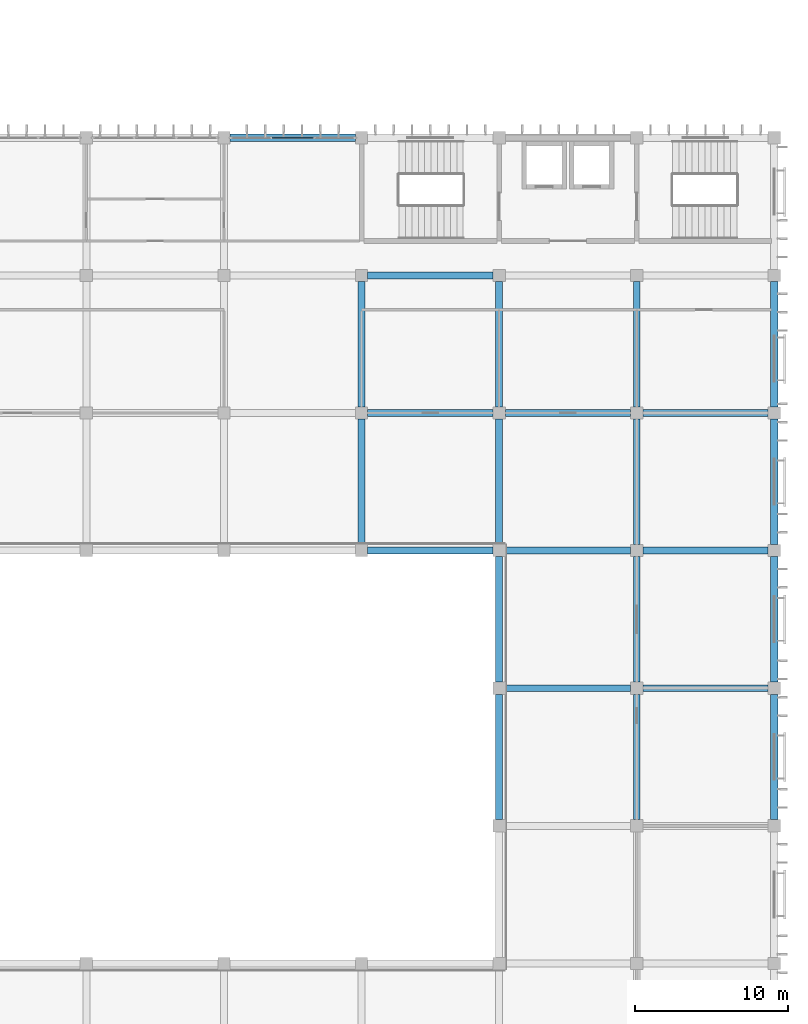
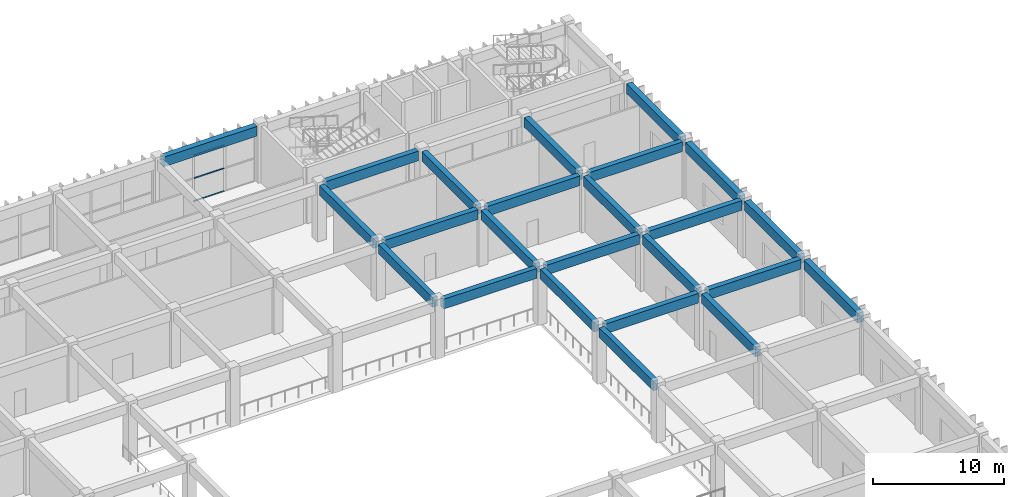
# One storey, part 82 of 185: 24 beams, 3 members, 1 element without a shape of its own.
"""IFC4 building model written with IfcOpenShell, lengths in metres."""

from ifc_helpers import new_model, si_unit, direction, frame, origin, origin_2d, place, context, subcontext, project, spatial, rectangle, hollow_rectangle, extrude, material, layer, layer_set, material_profile, profile_set, type_object, element, aggregate, save


model = new_model("IFC4")

# Units and contexts
model_context = context("Model", 3, precision=1e-05, world=origin(), true_north=direction((0.0, 1.0)))
body_context = subcontext(model_context, "Body", "Model", "MODEL_VIEW")
ifc_project = project(units=[si_unit("LENGTHUNIT", "METRE"), si_unit("AREAUNIT", "SQUARE_METRE"), si_unit("VOLUMEUNIT", "CUBIC_METRE"), si_unit("PLANEANGLEUNIT", "RADIAN"), si_unit("MASSUNIT", "GRAM", prefix="KILO")], contexts=[model_context])

# Site, building, storey
site_placement = place(None, origin())
site = spatial("IfcSite", under=ifc_project, at=site_placement, CompositionType="ELEMENT")
building_placement = place(site_placement, origin())
building = spatial("IfcBuilding", under=site, at=building_placement, Name="Opaline Strait Convention Centre", CompositionType="ELEMENT")
storey_placement = place(building_placement, frame((0.0, 0.0, 6.0)))
storey = spatial("IfcBuildingStorey", under=building, at=storey_placement, Name="L01", CompositionType="ELEMENT", Elevation=6.0)

# Curtain wall, members
ifc_material_1 = material(Name="Aluminium framed double glazing", Category="aluminium")
ifc_layer = layer(ifc_material_1, 0.199951171875)
ifc_layer_set = layer_set([ifc_layer], Name="Aluminium framed double glazing")
curtain_wall_type = type_object("IfcCurtainWallType", Name="Curtain wall 3000 module unitised", PredefinedType="NOTDEFINED", material=ifc_layer_set)
curtain_wall_placement = place(storey_placement, origin())
curtain_wall = element("IfcCurtainWall", 1, at=curtain_wall_placement, inside=storey, type_object=curtain_wall_type, Name="Curtain wall N L01 37/W", PredefinedType="NOTDEFINED")
ifc_material_2 = material(Name="Aluminium alloy 6063", Category="aluminium")
ifc_material_profile_1 = material_profile(ifc_material_2, hollow_rectangle(XDim=0.06005859375, YDim=0.1201171875, WallThickness=0.0029296875, at=origin_2d()), Name="TRANSOM 60x120x3")
ifc_profile_set_1 = profile_set([ifc_material_profile_1], Name="Aluminium alloy 6063")
member_type = type_object("IfcMemberType", Name="Curtain wall transom 60 x 120", PredefinedType="USERDEFINED", material=ifc_profile_set_1)
member_1_placement = place(storey_placement, frame((327.163330078125, 180.0, 0.030029296875), z_axis=(1.0, 0.0, 0.0), x_axis=(0.0, 1.0, 0.0)))
member_1 = element("IfcMember", 2, at=member_1_placement, type_object=member_type, Name="MCWR1 transom 2.1", ObjectType="TRANSOM", PredefinedType="USERDEFINED", context=body_context, shape_type="SweptSolid", body=[
    extrude(hollow_rectangle(XDim=0.06005859375, YDim=0.1201171875, WallThickness=0.0029296875, at=origin_2d()), origin(), (0.0, 0.0, 1.0), 2.67333984375),
])
member_2_placement = place(storey_placement, frame((327.163330078125, 180.0, 2.159912109375), z_axis=(1.0, 0.0, 0.0), x_axis=(0.0, 1.0, 0.0)))
member_2 = element("IfcMember", 3, at=member_2_placement, type_object=member_type, Name="MCWR1 transom 2.2", ObjectType="TRANSOM", PredefinedType="USERDEFINED", context=body_context, shape_type="SweptSolid", body=[
    extrude(hollow_rectangle(XDim=0.06005859375, YDim=0.1201171875, WallThickness=0.0029296875, at=origin_2d()), origin(), (0.0, 0.0, 1.0), 2.67333984375),
])
member_3_placement = place(storey_placement, frame((327.163330078125, 180.0, 4.2900390625), z_axis=(1.0, 0.0, 0.0), x_axis=(0.0, 1.0, 0.0)))
member_3 = element("IfcMember", 4, at=member_3_placement, type_object=member_type, Name="MCWR1 transom 2.3", ObjectType="TRANSOM", PredefinedType="USERDEFINED", context=body_context, shape_type="SweptSolid", body=[
    extrude(hollow_rectangle(XDim=0.06005859375, YDim=0.1201171875, WallThickness=0.0029296875, at=origin_2d()), origin(), (0.0, 0.0, 1.0), 2.67333984375),
])
aggregate(curtain_wall, [member_1, member_2, member_3])

# Beams
ifc_material_3 = material(Name="Concrete C35", Category="concrete")
ifc_material_profile_2 = material_profile(ifc_material_3, rectangle(XDim=0.449951171875, YDim=0.89990234375, at=origin_2d()), Name="RC 450x900")
ifc_profile_set_2 = profile_set([ifc_material_profile_2], Name="Concrete C35")
beam_type_1 = type_object("IfcBeamType", Name="RC beam 450x900 C35", PredefinedType="BEAM", material=ifc_profile_set_2)
for number, where, z_axis, x_axis, name in (
    (5, (342.39990234375, 144.0, 4.77001953125), (1.0, 0.0, 0.0), (0.0, 1.0, 0.0), "XB1 L01 39/S-40/S"),
    (6, (351.39990234375, 144.0, 4.77001953125), (1.0, 0.0, 0.0), (0.0, 1.0, 0.0), "XB1 L01 40/S-41/S"),
    (7, (333.39990234375, 153.0, 4.77001953125), (1.0, 0.0, 0.0), (0.0, 1.0, 0.0), "XB1 L01 38/T-39/T"),
    (8, (342.39990234375, 153.0, 4.77001953125), (1.0, 0.0, 0.0), (0.0, 1.0, 0.0), "XB1 L01 39/T-40/T"),
    (9, (351.39990234375, 153.0, 4.77001953125), (1.0, 0.0, 0.0), (0.0, 1.0, 0.0), "XB1 L01 40/T-41/T"),
    (10, (333.39990234375, 162.0, 4.77001953125), (1.0, 0.0, 0.0), (0.0, 1.0, 0.0), "XB1 L01 38/U-39/U"),
    (11, (342.39990234375, 162.0, 4.77001953125), (1.0, 0.0, 0.0), (0.0, 1.0, 0.0), "XB1 L01 39/U-40/U"),
    (12, (351.39990234375, 162.0, 4.77001953125), (1.0, 0.0, 0.0), (0.0, 1.0, 0.0), "XB1 L01 40/U-41/U"),
    (13, (333.39990234375, 171.0, 4.77001953125), (1.0, 0.0, 0.0), (0.0, 1.0, 0.0), "XB1 L01 38/V-39/V"),
    (14, (333.0, 153.39990234375, 4.77001953125), (0.0, 1.0, 0.0), (-1.0, 0.0, 0.0), "XB1 L01 38/T-38/U"),
    (15, (333.0, 162.39990234375, 4.77001953125), (0.0, 1.0, 0.0), (-1.0, 0.0, 0.0), "XB1 L01 38/U-38/V"),
    (16, (342.0, 135.39990234375, 4.77001953125), (0.0, 1.0, 0.0), (-1.0, 0.0, 0.0), "XB1 L01 39/R-39/S"),
    (17, (342.0, 144.39990234375, 4.77001953125), (0.0, 1.0, 0.0), (-1.0, 0.0, 0.0), "XB1 L01 39/S-39/T"),
    (18, (342.0, 153.39990234375, 4.77001953125), (0.0, 1.0, 0.0), (-1.0, 0.0, 0.0), "XB1 L01 39/T-39/U"),
    (19, (342.0, 162.39990234375, 4.77001953125), (0.0, 1.0, 0.0), (-1.0, 0.0, 0.0), "XB1 L01 39/U-39/V"),
    (20, (351.0, 135.39990234375, 4.77001953125), (0.0, 1.0, 0.0), (-1.0, 0.0, 0.0), "XB1 L01 40/R-40/S"),
    (21, (351.0, 144.39990234375, 4.77001953125), (0.0, 1.0, 0.0), (-1.0, 0.0, 0.0), "XB1 L01 40/S-40/T"),
    (22, (351.0, 153.39990234375, 4.77001953125), (0.0, 1.0, 0.0), (-1.0, 0.0, 0.0), "XB1 L01 40/T-40/U"),
    (23, (351.0, 162.39990234375, 4.77001953125), (0.0, 1.0, 0.0), (-1.0, 0.0, 0.0), "XB1 L01 40/U-40/V"),
):
    element("IfcBeam", number, at=place(storey_placement, frame(where, z_axis=z_axis, x_axis=x_axis)), inside=storey, type_object=beam_type_1, Name=name, PredefinedType="BEAM", context=body_context, shape_type="SweptSolid", body=[
        extrude(rectangle(XDim=0.449951171875, YDim=0.89990234375, at=origin_2d()), origin(), (0.0, 0.0, 1.0), 8.2001953125),
    ])
ifc_material_profile_3 = material_profile(ifc_material_3, rectangle(XDim=0.5, YDim=0.89990234375, at=origin_2d()), Name="RC 500x900")
ifc_profile_set_3 = profile_set([ifc_material_profile_3], Name="Concrete C35")
beam_type_2 = type_object("IfcBeamType", Name="RC edge beam 500x900 C35", PredefinedType="BEAM", material=ifc_profile_set_3)
for number, where, z_axis, x_axis, name in (
    (24, (324.39990234375, 180.0, 4.77001953125), (1.0, 0.0, 0.0), (0.0, 1.0, 0.0), "MRB2 L01 37/W-38/W"),
    (25, (360.0, 135.39990234375, 4.77001953125), (0.0, 1.0, 0.0), (-1.0, 0.0, 0.0), "MRB2 L01 41/R-41/S"),
    (26, (360.0, 144.39990234375, 4.77001953125), (0.0, 1.0, 0.0), (-1.0, 0.0, 0.0), "MRB2 L01 41/S-41/T"),
    (27, (360.0, 153.39990234375, 4.77001953125), (0.0, 1.0, 0.0), (-1.0, 0.0, 0.0), "MRB2 L01 41/T-41/U"),
    (28, (360.0, 162.39990234375, 4.77001953125), (0.0, 1.0, 0.0), (-1.0, 0.0, 0.0), "MRB2 L01 41/U-41/V"),
):
    element("IfcBeam", number, at=place(storey_placement, frame(where, z_axis=z_axis, x_axis=x_axis)), inside=storey, type_object=beam_type_2, Name=name, PredefinedType="BEAM", context=body_context, shape_type="SweptSolid", body=[
        extrude(rectangle(XDim=0.5, YDim=0.89990234375, at=origin_2d()), origin(), (0.0, 0.0, 1.0), 8.2001953125),
    ])

save(model, "model.ifc")
